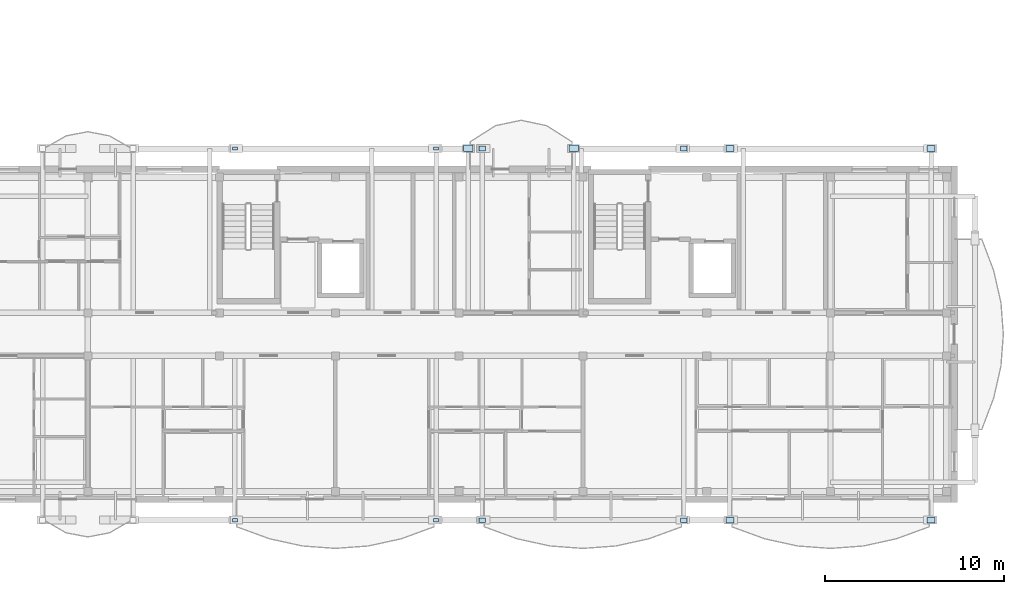
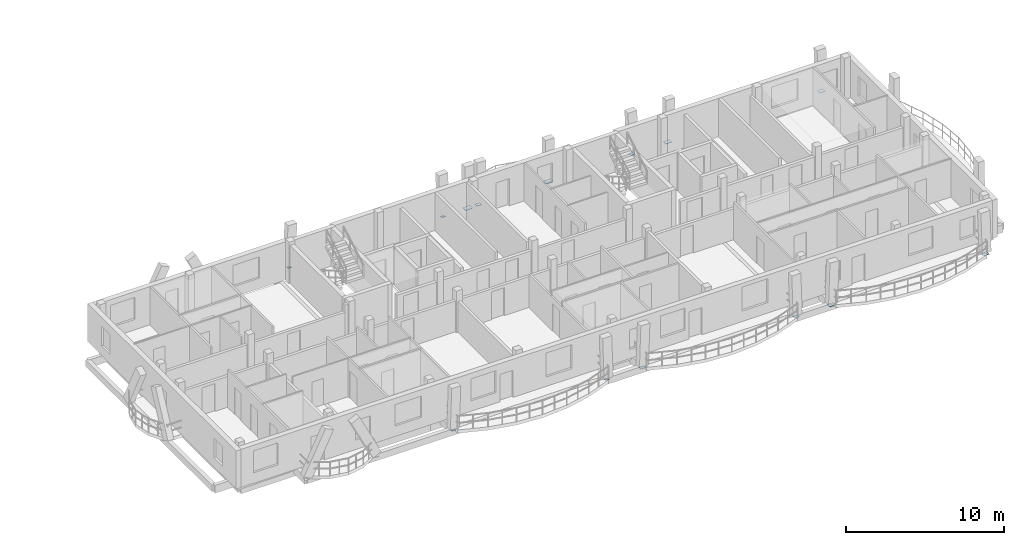
# One storey, part 15 of 52: 14 plates.
"""IFC4 building model written with IfcOpenShell, lengths in metres."""

import ifcopenshell
import ifcopenshell.guid

model = None  # the IFC model being written
_history = None  # IfcOwnerHistory: only IFC2X3 demands one
_inside = {}  # id of a spatial element -> (the spatial element, [elements in it])
_under = {}  # id of a project, library or spatial element -> (it, [spatial elements below it])
_declared = {}  # id of a project -> (the project, [libraries it declares])
_typed = {}  # id of a type object -> (the type object, [elements of that type])
_made_of = {}  # id of a material, layer set ... -> (it, [elements and type objects made of it])


def new_model(schema):
    """Start an empty IFC model of exactly this schema.

    Asked for "IFC4X3", IfcOpenShell would pick the latest addendum, in which some entities
    have other attributes; the version numbers below select the first issue.
    IFC2X3 requires an IfcOwnerHistory on every rooted entity: one is made here for all.
    """
    global model, _history
    if schema == "IFC4X3":
        model = ifcopenshell.file(schema_version=(4, 3, 0, 0))
    else:
        model = ifcopenshell.file(schema=schema)
    _inside.clear()
    _under.clear()
    _declared.clear()
    _typed.clear()
    _made_of.clear()
    _history = None
    if model.schema == "IFC2X3":
        org = make("IfcOrganization", Name="unknown")
        user = make(
            "IfcPersonAndOrganization",
            ThePerson=make("IfcPerson", FamilyName="unknown"),
            TheOrganization=org,
        )
        app = make(
            "IfcApplication",
            ApplicationDeveloper=org,
            Version="unknown",
            ApplicationFullName="unknown",
            ApplicationIdentifier="unknown",
        )
        _history = make(
            "IfcOwnerHistory",
            OwningUser=user,
            OwningApplication=app,
            ChangeAction="ADDED",
            CreationDate=0,
        )
    return model


def make(cls, **values):
    """One entity of the class cls with the attributes given. An attribute that is None is left unset."""
    return model.create_entity(
        cls, **{name: value for name, value in values.items() if value is not None}
    )


def rooted(cls, **values):
    """An entity with a GlobalId (a new one), such as an element, a storey or a relation."""
    return make(cls, GlobalId=ifcopenshell.guid.new(), OwnerHistory=_history, **values)


def si_unit(unit_type, name, prefix=None):
    """IfcSIUnit, for example si_unit("LENGTHUNIT", "METRE", prefix="MILLI")."""
    return make("IfcSIUnit", UnitType=unit_type, Prefix=prefix, Name=name)


def assignment(units):
    """IfcUnitAssignment: the units of a project."""
    return None if units is None else make("IfcUnitAssignment", Units=units)


def point(xyz):
    """IfcCartesianPoint."""
    return None if xyz is None else make("IfcCartesianPoint", Coordinates=xyz)


def direction(xyz):
    """IfcDirection."""
    return None if xyz is None else make("IfcDirection", DirectionRatios=xyz)


def frame(location, z_axis=None, x_axis=None):
    """IfcAxis2Placement3D, a coordinate frame: its origin and axes. An axis left out is left unset."""
    return make(
        "IfcAxis2Placement3D",
        Location=point(location),
        Axis=direction(z_axis),
        RefDirection=direction(x_axis),
    )


def frame_2d(location, x_axis=None):
    """IfcAxis2Placement2D, a coordinate frame in the plane: its origin and x axis."""
    return make(
        "IfcAxis2Placement2D", Location=point(location), RefDirection=direction(x_axis)
    )


def origin():
    """The frame at (0, 0, 0) with its axes left unset."""
    return frame((0.0, 0.0, 0.0))


def origin_2d():
    """The frame at (0, 0) in the plane with its x axis left unset."""
    return frame_2d((0.0, 0.0))


def place(relative_to, where):
    """IfcLocalPlacement: puts the frame where relative to a parent placement (None: the world)."""
    return make(
        "IfcLocalPlacement", PlacementRelTo=relative_to, RelativePlacement=where
    )


def context(
    kind, dimensions, precision=None, world=None, true_north=None, identifier=None
):
    """IfcGeometricRepresentationContext, for example the 3D "Model" context."""
    return make(
        "IfcGeometricRepresentationContext",
        ContextIdentifier=identifier,
        ContextType=kind,
        CoordinateSpaceDimension=dimensions,
        Precision=precision,
        WorldCoordinateSystem=world,
        TrueNorth=true_north,
    )


def subcontext(parent, identifier, kind, view, scale=None):
    """IfcGeometricRepresentationSubContext, for example "Body" below "Model"."""
    return make(
        "IfcGeometricRepresentationSubContext",
        ContextIdentifier=identifier,
        ContextType=kind,
        ParentContext=parent,
        TargetScale=scale,
        TargetView=view,
    )


def project(units=None, contexts=None):
    """IfcProject with its units and contexts."""
    return rooted(
        "IfcProject",
        Name="project",
        RepresentationContexts=contexts,
        UnitsInContext=assignment(units),
    )


def spatial(cls, under=None, at=None, **own):
    """A site, building, storey or space (cls), placed at a placement, below another one or the project."""
    s = rooted(cls, ObjectPlacement=at, **own)
    if under is not None:
        _under.setdefault(under.id(), (under, []))[1].append(s)
    return s


def profile(cls, at=None, kind="AREA", **sizes):
    """A parametric profile (cls). Its sizes go by their IFC names, for example OverallWidth=200.0."""
    return make(cls, ProfileType=kind, Position=at, **sizes)


def rectangle(**sizes):
    """IfcRectangleProfileDef."""
    return profile("IfcRectangleProfileDef", **sizes)


def extrude(swept, where, along, depth):
    """IfcExtrudedAreaSolid: the profile swept, set in the frame where, extruded along a direction by depth."""
    return make(
        "IfcExtrudedAreaSolid",
        SweptArea=swept,
        Position=where,
        ExtrudedDirection=direction(along),
        Depth=depth,
    )


def shape(context_of_items, identifier, shape_type, items):
    """IfcShapeRepresentation: the items that make up one representation, for example the "Body"."""
    return make(
        "IfcShapeRepresentation",
        ContextOfItems=context_of_items,
        RepresentationIdentifier=identifier,
        RepresentationType=shape_type,
        Items=items,
    )


def material(Name=None, Category=None):
    """IfcMaterial."""
    return make("IfcMaterial", Name=Name, Category=Category)


def layer(
    of_material, thickness, ventilated=None, Name=None, Category=None, Priority=None
):
    """IfcMaterialLayer: one layer of a wall or slab, of a material (None: an air gap)."""
    return make(
        "IfcMaterialLayer",
        Material=of_material,
        LayerThickness=thickness,
        IsVentilated=ventilated,
        Name=Name,
        Category=Category,
        Priority=Priority,
    )


def layer_set(layers, Name=None):
    """IfcMaterialLayerSet."""
    return make("IfcMaterialLayerSet", MaterialLayers=layers, LayerSetName=Name)


def made_of(thing, what):
    """Note that an element or type object is made of a material, layer set ...; save() writes the relation."""
    if what is not None:
        _made_of.setdefault(what.id(), (what, []))[1].append(thing)
    return thing


def type_object(cls, material=None, **own):
    """A type object (cls), such as IfcWallType, which elements share."""
    return made_of(rooted(cls, **own), material)


def element(
    cls,
    number,
    at=None,
    inside=None,
    cuts=None,
    type_object=None,
    material=None,
    context=None,
    identifier="Body",
    shape_type=None,
    held_by="IfcProductDefinitionShape",
    body=None,
    shapes=None,
    **own,
):
    """One element of the class cls, such as IfcWall. Its Tag is "e" and its number.

    at: its placement. inside: the storey or other place that contains it. cuts: it is an
    opening in that element (IfcRelVoidsElement). A single representation is given by context,
    identifier, shape_type and body (its items); several are given by shapes. held_by: the class
    of the entity that holds the representations. save() writes the other relations.
    """
    e = rooted(cls, Tag="e%d" % number, ObjectPlacement=at, **own)
    if body is not None:
        shapes = [shape(context, identifier, shape_type, body)]
    if shapes is not None:
        e.Representation = make(held_by, Representations=shapes)
    if inside is not None:
        _inside.setdefault(inside.id(), (inside, []))[1].append(e)
    if cuts is not None:
        rooted(
            "IfcRelVoidsElement", RelatingBuildingElement=cuts, RelatedOpeningElement=e
        )
    if type_object is not None:
        _typed.setdefault(type_object.id(), (type_object, []))[1].append(e)
    return made_of(e, material)


def aggregate(whole, parts):
    """IfcRelAggregates: a whole, such as a stair, and the parts it consists of."""
    return rooted("IfcRelAggregates", RelatingObject=whole, RelatedObjects=parts)


def save(model, path):
    """Write the relations noted so far, then the file.

    IfcRelAggregates (storeys below a building ...), IfcRelContainedInSpatialStructure (elements
    in a storey), IfcRelDefinesByType, IfcRelAssociatesMaterial and IfcRelDeclares: one each for
    every whole, place, type object, material and project.
    """
    for whole, parts in _under.values():
        aggregate(whole, parts)
    for where, things in _inside.values():
        rooted(
            "IfcRelContainedInSpatialStructure",
            RelatedElements=things,
            RelatingStructure=where,
        )
    for kind, things in _typed.values():
        rooted("IfcRelDefinesByType", RelatedObjects=things, RelatingType=kind)
    for what, things in _made_of.values():
        rooted("IfcRelAssociatesMaterial", RelatedObjects=things, RelatingMaterial=what)
    for by, libraries in _declared.values():
        rooted("IfcRelDeclares", RelatingContext=by, RelatedDefinitions=libraries)
    model.write(path)


model = new_model("IFC4")

# Units and contexts
model_context = context("Model", 3, precision=1e-05, world=origin(), true_north=direction((0.0, 1.0)))
body_context = subcontext(model_context, "Body", "Model", "MODEL_VIEW")
ifc_project = project(units=[si_unit("LENGTHUNIT", "METRE"), si_unit("AREAUNIT", "SQUARE_METRE"), si_unit("VOLUMEUNIT", "CUBIC_METRE"), si_unit("PLANEANGLEUNIT", "RADIAN"), si_unit("MASSUNIT", "GRAM", prefix="KILO")], contexts=[model_context])

# Site, building, storey
site_placement = place(None, origin())
site = spatial("IfcSite", under=ifc_project, at=site_placement, CompositionType="ELEMENT")
building_placement = place(site_placement, origin())
building = spatial("IfcBuilding", under=site, at=building_placement, Name="Zavelmont Quarter", CompositionType="ELEMENT")
storey_placement = place(building_placement, frame((0.0, 0.0, 14.39990234375)))
storey = spatial("IfcBuildingStorey", under=building, at=storey_placement, Name="L04", CompositionType="ELEMENT", Elevation=14.39990234375)

# Plates
ifc_material = material(Name="Steel S355", Category="steel")
ifc_layer_1 = layer(ifc_material, 0.02001953125)
ifc_layer_set_1 = layer_set([ifc_layer_1], Name="Steel S355")
plate_type_1 = type_object("IfcPlateType", Name="NP01", PredefinedType="SHEET", material=ifc_layer_set_1)
for number, where, z_axis, x_axis, name in (
    (1, (127.89111328125, -1.162109375, -0.2099609375), (0.0, 0.0, 1.0), (1.0, 0.0, 0.0), "L04 steel connection plate NP01 at 19/A"),
    (2, (139.10888671875, -1.162109375, -0.2099609375), (0.0, 0.0, 1.0), (1.0, 0.0, 0.0), "L04 steel connection plate NP01 at 21/A"),
    (3, (127.89111328125, 19.56201171875, -0.2099609375), (0.0, 0.0, 1.0), (1.0, 0.0, 0.0), "L04 steel connection plate NP01 at 19/D"),
    (4, (139.10888671875, 19.56201171875, -0.2099609375), (0.0, 0.0, 1.0), (1.0, 0.0, 0.0), "L04 steel connection plate NP01 at 21/D"),
):
    element("IfcPlate", number, at=place(storey_placement, frame(where, z_axis=z_axis, x_axis=x_axis)), inside=storey, type_object=plate_type_1, Name=name, PredefinedType="SHEET", context=body_context, shape_type="SweptSolid", body=[
        extrude(rectangle(XDim=0.280029296875, YDim=0.179931640625, at=origin_2d()), origin(), (0.0, 0.0, 1.0), 0.02001953125),
    ])
ifc_layer_2 = layer(ifc_material, 0.02392578125)
ifc_layer_set_2 = layer_set([ifc_layer_2], Name="Steel S355")
plate_type_2 = type_object("IfcPlateType", Name="NP02", PredefinedType="SHEET", material=ifc_layer_set_2)
for number, where, z_axis, x_axis, name in (
    (5, (141.69091796875, -1.162109375, -0.2119140625), (0.0, 0.0, 1.0), (1.0, 0.0, 0.0), "L04 steel connection plate NP02 at 21/A"),
    (6, (152.908935546875, -1.162109375, -0.2119140625), (0.0, 0.0, 1.0), (1.0, 0.0, 0.0), "L04 steel connection plate NP02 at 23/A"),
    (7, (141.69091796875, 19.56201171875, -0.2119140625), (0.0, 0.0, 1.0), (1.0, 0.0, 0.0), "L04 steel connection plate NP02 at 21/D"),
    (8, (152.908935546875, 19.56201171875, -0.2119140625), (0.0, 0.0, 1.0), (1.0, 0.0, 0.0), "L04 steel connection plate NP02 at 23/D"),
):
    element("IfcPlate", number, at=place(storey_placement, frame(where, z_axis=z_axis, x_axis=x_axis)), inside=storey, type_object=plate_type_2, Name=name, PredefinedType="SHEET", context=body_context, shape_type="SweptSolid", body=[
        extrude(rectangle(XDim=0.360107421875, YDim=0.260009765625, at=origin_2d()), origin(), (0.0, 0.0, 1.0), 0.02392578125),
    ])
ifc_layer_3 = layer(ifc_material, 0.02490234375)
ifc_layer_set_3 = layer_set([ifc_layer_3], Name="Steel S355")
plate_type_3 = type_object("IfcPlateType", Name="NP03", PredefinedType="SHEET", material=ifc_layer_set_3)
for number, where, z_axis, x_axis, name in (
    (9, (155.490966796875, -1.162109375, -0.21240234375), (0.0, 0.0, 1.0), (1.0, 0.0, 0.0), "L04 steel connection plate NP03 at 23/A"),
    (10, (166.708984375, -1.162109375, -0.21240234375), (0.0, 0.0, 1.0), (1.0, 0.0, 0.0), "L04 steel connection plate NP03 at 25/A"),
    (11, (155.490966796875, 19.56201171875, -0.21240234375), (0.0, 0.0, 1.0), (1.0, 0.0, 0.0), "L04 steel connection plate NP03 at 23/D"),
    (12, (166.708984375, 19.56201171875, -0.21240234375), (0.0, 0.0, 1.0), (1.0, 0.0, 0.0), "L04 steel connection plate NP03 at 25/D"),
):
    element("IfcPlate", number, at=place(storey_placement, frame(where, z_axis=z_axis, x_axis=x_axis)), inside=storey, type_object=plate_type_3, Name=name, PredefinedType="SHEET", context=body_context, shape_type="SweptSolid", body=[
        extrude(rectangle(XDim=0.43994140625, YDim=0.320068359375, at=origin_2d()), origin(), (0.0, 0.0, 1.0), 0.02490234375),
    ])
ifc_layer_4 = layer(ifc_material, 0.028076171875)
ifc_layer_set_4 = layer_set([ifc_layer_4], Name="Steel S355")
plate_type_4 = type_object("IfcPlateType", Name="NP04", PredefinedType="SHEET", material=ifc_layer_set_4)
for number, where, z_axis, x_axis, name in (
    (13, (140.911376953125, 19.56201171875, -0.2138671875), (0.0, 0.0, 1.0), (1.0, 0.0, 0.0), "L04 steel connection plate NP04 at 21/D"),
    (14, (146.788818359375, 19.56201171875, -0.2138671875), (0.0, 0.0, 1.0), (1.0, 0.0, 0.0), "L04 steel connection plate NP04 at 22/D"),
):
    element("IfcPlate", number, at=place(storey_placement, frame(where, z_axis=z_axis, x_axis=x_axis)), inside=storey, type_object=plate_type_4, Name=name, PredefinedType="SHEET", context=body_context, shape_type="SweptSolid", body=[
        extrude(rectangle(XDim=0.52001953125, YDim=0.360107421875, at=origin_2d()), origin(), (0.0, 0.0, 1.0), 0.028076171875),
    ])

save(model, "model.ifc")
